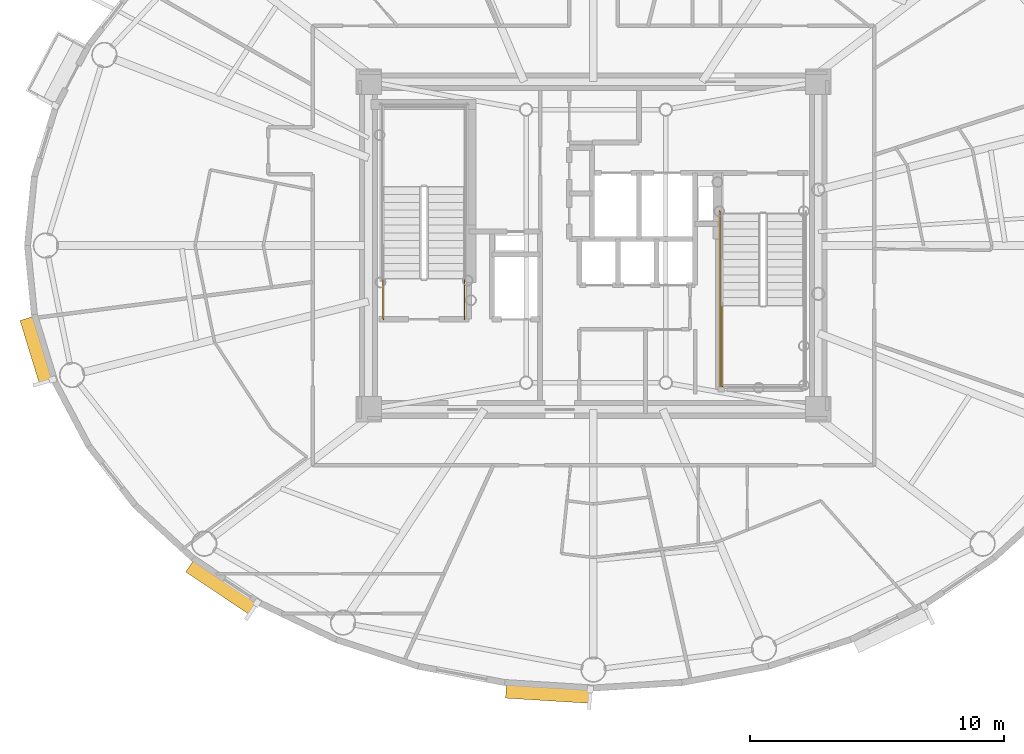
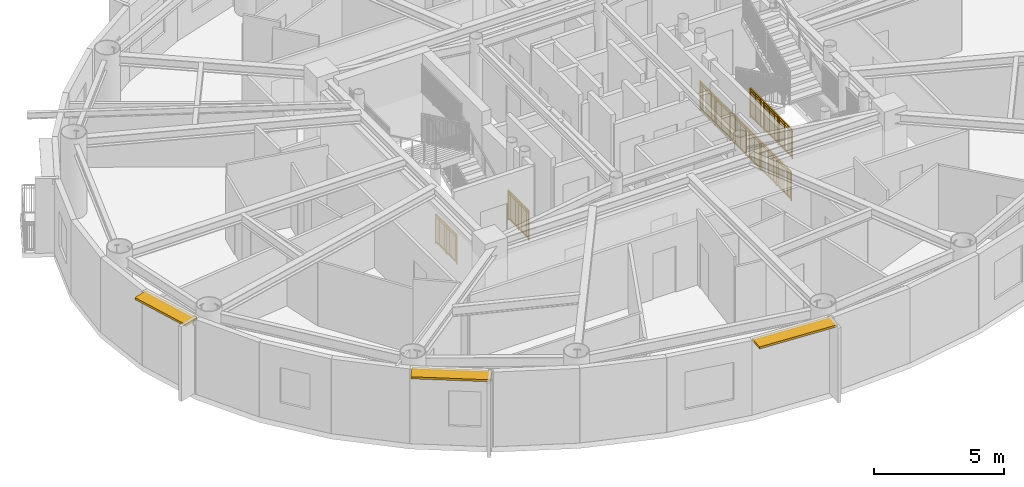
# One storey, part 11 of 18: 4 railings, 3 shading devices.
"""IFC4 building model written with IfcOpenShell, lengths in metres."""

from ifc_helpers import new_model, si_unit, direction, frame, origin, origin_2d, place, context, subcontext, project, spatial, rectangle, extrude, source, transform, mapped, material, layer, layer_set, type_object, element, save


model = new_model("IFC4")

# Units and contexts
model_context = context("Model", 3, precision=1e-05, world=origin(), true_north=direction((0.0, 1.0)))
body_context = subcontext(model_context, "Body", "Model", "MODEL_VIEW")
ifc_project = project(units=[si_unit("LENGTHUNIT", "METRE"), si_unit("AREAUNIT", "SQUARE_METRE"), si_unit("VOLUMEUNIT", "CUBIC_METRE"), si_unit("PLANEANGLEUNIT", "RADIAN"), si_unit("MASSUNIT", "GRAM", prefix="KILO")], contexts=[model_context])

# Site, building, storey
site_placement = place(None, origin())
site = spatial("IfcSite", under=ifc_project, at=site_placement, CompositionType="ELEMENT")
building_placement = place(site_placement, origin())
building = spatial("IfcBuilding", under=site, at=building_placement, Name="Linh Dai School and Residence Tower", CompositionType="ELEMENT")
storey_placement = place(building_placement, frame((0.0, 0.0, 295.5)))
storey = spatial("IfcBuildingStorey", under=building, at=storey_placement, Name="L73", CompositionType="ELEMENT", Elevation=295.5)

# Shading devices
ifc_material_1 = material(Name="Terracotta Ceramic Sunshade", Category="masonry")
ifc_layer = layer(ifc_material_1, 0.10009765625)
ifc_layer_set = layer_set([ifc_layer], Name="Terracotta Ceramic Sunshade")
shading_device_type = type_object("IfcShadingDeviceType", Name="SHD-TC-650", PredefinedType="USERDEFINED", material=ifc_layer_set)
shared_shape_1 = source(origin(), body_context, "Body", "SweptSolid", [
    extrude(rectangle(XDim=2.6640625, YDim=0.64990234375, at=origin_2d()), origin(), (0.0, 0.0, 1.0), 0.10009765625),
])
shading_device_1_placement = place(storey_placement, frame((14.132568359375, 22.870849609375, 3.3798828125), z_axis=(0.0, 0.0, 1.0), x_axis=(-0.293140945944, 0.956069236934, 0.0)))
element("IfcShadingDevice", 1, at=shading_device_1_placement, inside=storey, type_object=shading_device_type, Name="L73 Terracotta Horizontal Sunshade Band 22", ObjectType="SUNSHADE", PredefinedType="USERDEFINED", context=body_context, shape_type="MappedRepresentation", body=[
    mapped(shared_shape_1, transform((0.0, 0.0, 0.0), x_axis=(1.0, 0.0, 0.0), y_axis=(0.0, 1.0, 0.0), z_axis=(0.0, 0.0, 1.0), scale=1.0)),
])
shared_shape_2 = source(origin(), body_context, "Body", "SweptSolid", [
    extrude(rectangle(XDim=3.069091796875, YDim=0.64990234375, at=origin_2d()), origin(), (0.0, 0.0, 1.0), 0.10009765625),
])
shading_device_2_placement = place(storey_placement, frame((21.408203125, 13.5703125, 3.3798828125), z_axis=(0.0, 0.0, 1.0), x_axis=(-0.831245318631, 0.555905765624, 0.0)))
element("IfcShadingDevice", 2, at=shading_device_2_placement, inside=storey, type_object=shading_device_type, Name="L73 Terracotta Horizontal Sunshade Band 26", ObjectType="SUNSHADE", PredefinedType="USERDEFINED", context=body_context, shape_type="MappedRepresentation", body=[
    mapped(shared_shape_2, transform((0.0, 0.0, 0.0), x_axis=(1.0, 0.0, 0.0), y_axis=(0.0, 1.0, 0.0), z_axis=(0.0, 0.0, 1.0), scale=1.0)),
])
shared_shape_3 = source(origin(), body_context, "Body", "SweptSolid", [
    extrude(rectangle(XDim=3.355712890625, YDim=0.64990234375, at=origin_2d()), origin(), (0.0, 0.0, 1.0), 0.10009765625),
])
shading_device_3_placement = place(storey_placement, frame((34.238037109375, 9.407958984375, 3.3798828125), z_axis=(0.0, 0.0, 1.0), x_axis=(-0.998106469364, 0.061509965157, 0.0)))
element("IfcShadingDevice", 3, at=shading_device_3_placement, inside=storey, type_object=shading_device_type, Name="L73 Terracotta Horizontal Sunshade Band 30", ObjectType="SUNSHADE", PredefinedType="USERDEFINED", context=body_context, shape_type="MappedRepresentation", body=[
    mapped(shared_shape_3, transform((0.0, 0.0, 0.0), x_axis=(1.0, 0.0, 0.0), y_axis=(0.0, 1.0, 0.0), z_axis=(0.0, 0.0, 1.0), scale=1.0)),
])

# Railings
ifc_material_2 = material(Name="Structural Steel S355JR", Category="steel")
railing_type = type_object("IfcRailingType", Name="RL-ST-GUARD-1400", PredefinedType="GUARDRAIL", material=ifc_material_2)
shared_shape_4 = source(origin(), body_context, "Body", "SweptSolid", [
    extrude(rectangle(XDim=0.048095703125, YDim=0.048095703125, at=origin_2d()), frame((0.0, 0.0, 1.3759765625), z_axis=(0.0, 1.0, 0.0), x_axis=(-1.0, 0.0, 0.0)), (0.0, 0.0, 1.0), 1.599853515625),
    extrude(rectangle(XDim=0.048095703125, YDim=0.048095703125, at=origin_2d()), frame((0.0, 0.0, 0.10009765625), z_axis=(0.0, 1.0, 0.0), x_axis=(-1.0, 0.0, 0.0)), (0.0, 0.0, 1.0), 1.599853515625),
    extrude(rectangle(XDim=0.030029296875, YDim=0.030029296875, at=origin_2d()), frame((0.0, 0.0, 1.239990234375), z_axis=(0.0, 1.0, 0.0), x_axis=(-1.0, 0.0, 0.0)), (0.0, 0.0, 1.0), 1.599853515625),
    extrude(rectangle(XDim=0.02001953125, YDim=0.02001953125, at=origin_2d()), frame((0.0, 0.093994140625, 0.10009765625)), (0.0, 0.0, 1.0), 1.251708984375),
    extrude(rectangle(XDim=0.02001953125, YDim=0.02001953125, at=origin_2d()), frame((0.0, 0.188232421875, 0.10009765625)), (0.0, 0.0, 1.0), 1.251708984375),
    extrude(rectangle(XDim=0.02001953125, YDim=0.02001953125, at=origin_2d()), frame((0.0, 0.2822265625, 0.10009765625)), (0.0, 0.0, 1.0), 1.251708984375),
    extrude(rectangle(XDim=0.02001953125, YDim=0.02001953125, at=origin_2d()), frame((0.0, 0.37646484375, 0.10009765625)), (0.0, 0.0, 1.0), 1.251708984375),
    extrude(rectangle(XDim=0.02001953125, YDim=0.02001953125, at=origin_2d()), frame((0.0, 0.470458984375, 0.10009765625)), (0.0, 0.0, 1.0), 1.251708984375),
    extrude(rectangle(XDim=0.02001953125, YDim=0.02001953125, at=origin_2d()), frame((0.0, 0.564697265625, 0.10009765625)), (0.0, 0.0, 1.0), 1.251708984375),
    extrude(rectangle(XDim=0.02001953125, YDim=0.02001953125, at=origin_2d()), frame((0.0, 0.65869140625, 0.10009765625)), (0.0, 0.0, 1.0), 1.251708984375),
    extrude(rectangle(XDim=0.02001953125, YDim=0.02001953125, at=origin_2d()), frame((0.0, 0.7529296875, 0.10009765625)), (0.0, 0.0, 1.0), 1.251708984375),
    extrude(rectangle(XDim=0.02001953125, YDim=0.02001953125, at=origin_2d()), frame((0.0, 0.846923828125, 0.10009765625)), (0.0, 0.0, 1.0), 1.251708984375),
    extrude(rectangle(XDim=0.02001953125, YDim=0.02001953125, at=origin_2d()), frame((0.0, 0.941162109375, 0.10009765625)), (0.0, 0.0, 1.0), 1.251708984375),
    extrude(rectangle(XDim=0.02001953125, YDim=0.02001953125, at=origin_2d()), frame((0.0, 1.03515625, 0.10009765625)), (0.0, 0.0, 1.0), 1.251708984375),
    extrude(rectangle(XDim=0.02001953125, YDim=0.02001953125, at=origin_2d()), frame((0.0, 1.12939453125, 0.10009765625)), (0.0, 0.0, 1.0), 1.251708984375),
    extrude(rectangle(XDim=0.02001953125, YDim=0.02001953125, at=origin_2d()), frame((0.0, 1.223388671875, 0.10009765625)), (0.0, 0.0, 1.0), 1.251708984375),
    extrude(rectangle(XDim=0.02001953125, YDim=0.02001953125, at=origin_2d()), frame((0.0, 1.317626953125, 0.10009765625)), (0.0, 0.0, 1.0), 1.251708984375),
    extrude(rectangle(XDim=0.02001953125, YDim=0.02001953125, at=origin_2d()), frame((0.0, 1.41162109375, 0.10009765625)), (0.0, 0.0, 1.0), 1.251708984375),
    extrude(rectangle(XDim=0.02001953125, YDim=0.02001953125, at=origin_2d()), frame((0.0, 1.505859375, 0.10009765625)), (0.0, 0.0, 1.0), 1.251708984375),
    extrude(rectangle(XDim=0.0419921875, YDim=0.0419921875, at=origin_2d()), origin(), (0.0, 0.0, 1.0), 1.3759765625),
    extrude(rectangle(XDim=0.0419921875, YDim=0.0419921875, at=origin_2d()), frame((0.0, 0.7998046875, 0.0)), (0.0, 0.0, 1.0), 1.3759765625),
    extrude(rectangle(XDim=0.0419921875, YDim=0.0419921875, at=origin_2d()), frame((0.0, 1.599853515625, 0.0)), (0.0, 0.0, 1.0), 1.3759765625),
])
for number, where, name in (
    (4, (30.929931640625, 24.10009765625, 0.0), "L73 ST1 stair guard 8"),
    (5, (27.72998046875, 24.10009765625, 0.0), "L73 ST1 stair guard 9"),
):
    element("IfcRailing", number, at=place(storey_placement, frame(where)), inside=storey, type_object=railing_type, Name=name, PredefinedType="GUARDRAIL", context=body_context, shape_type="MappedRepresentation", body=[
        mapped(shared_shape_4, transform((0.0, 0.0, 0.0), x_axis=(1.0, 0.0, 0.0), y_axis=(0.0, 1.0, 0.0), z_axis=(0.0, 0.0, 1.0), scale=1.0)),
    ])
shared_shape_5 = source(origin(), body_context, "Body", "SweptSolid", [
    extrude(rectangle(XDim=0.048095703125, YDim=0.048095703125, at=origin_2d()), frame((0.0, 0.0, 1.3759765625), z_axis=(0.0, -1.0, 0.0), x_axis=(1.0, 0.0, 0.0)), (0.0, 0.0, 1.0), 7.0),
    extrude(rectangle(XDim=0.048095703125, YDim=0.048095703125, at=origin_2d()), frame((0.0, 0.0, 0.10009765625), z_axis=(0.0, -1.0, 0.0), x_axis=(1.0, 0.0, 0.0)), (0.0, 0.0, 1.0), 7.0),
    extrude(rectangle(XDim=0.030029296875, YDim=0.030029296875, at=origin_2d()), frame((0.0, 0.0, 1.239990234375), z_axis=(0.0, -1.0, 0.0), x_axis=(1.0, 0.0, 0.0)), (0.0, 0.0, 1.0), 7.0),
    extrude(rectangle(XDim=0.02001953125, YDim=0.02001953125, at=origin_2d()), frame((0.0, -0.09716796875, 0.10009765625)), (0.0, 0.0, 1.0), 1.251708984375),
    extrude(rectangle(XDim=0.02001953125, YDim=0.02001953125, at=origin_2d()), frame((0.0, -0.1943359375, 0.10009765625)), (0.0, 0.0, 1.0), 1.251708984375),
    extrude(rectangle(XDim=0.02001953125, YDim=0.02001953125, at=origin_2d()), frame((0.0, -0.291748046875, 0.10009765625)), (0.0, 0.0, 1.0), 1.251708984375),
    extrude(rectangle(XDim=0.02001953125, YDim=0.02001953125, at=origin_2d()), frame((0.0, -0.388916015625, 0.10009765625)), (0.0, 0.0, 1.0), 1.251708984375),
    extrude(rectangle(XDim=0.02001953125, YDim=0.02001953125, at=origin_2d()), frame((0.0, -0.486083984375, 0.10009765625)), (0.0, 0.0, 1.0), 1.251708984375),
    extrude(rectangle(XDim=0.02001953125, YDim=0.02001953125, at=origin_2d()), frame((0.0, -0.583251953125, 0.10009765625)), (0.0, 0.0, 1.0), 1.251708984375),
    extrude(rectangle(XDim=0.02001953125, YDim=0.02001953125, at=origin_2d()), frame((0.0, -0.6806640625, 0.10009765625)), (0.0, 0.0, 1.0), 1.251708984375),
    extrude(rectangle(XDim=0.02001953125, YDim=0.02001953125, at=origin_2d()), frame((0.0, -0.77783203125, 0.10009765625)), (0.0, 0.0, 1.0), 1.251708984375),
    extrude(rectangle(XDim=0.02001953125, YDim=0.02001953125, at=origin_2d()), frame((0.0, -0.875, 0.10009765625)), (0.0, 0.0, 1.0), 1.251708984375),
    extrude(rectangle(XDim=0.02001953125, YDim=0.02001953125, at=origin_2d()), frame((0.0, -0.97216796875, 0.10009765625)), (0.0, 0.0, 1.0), 1.251708984375),
    extrude(rectangle(XDim=0.02001953125, YDim=0.02001953125, at=origin_2d()), frame((0.0, -1.0693359375, 0.10009765625)), (0.0, 0.0, 1.0), 1.251708984375),
    extrude(rectangle(XDim=0.02001953125, YDim=0.02001953125, at=origin_2d()), frame((0.0, -1.263916015625, 0.10009765625)), (0.0, 0.0, 1.0), 1.251708984375),
    extrude(rectangle(XDim=0.02001953125, YDim=0.02001953125, at=origin_2d()), frame((0.0, -1.361083984375, 0.10009765625)), (0.0, 0.0, 1.0), 1.251708984375),
    extrude(rectangle(XDim=0.02001953125, YDim=0.02001953125, at=origin_2d()), frame((0.0, -1.458251953125, 0.10009765625)), (0.0, 0.0, 1.0), 1.251708984375),
    extrude(rectangle(XDim=0.02001953125, YDim=0.02001953125, at=origin_2d()), frame((0.0, -1.5556640625, 0.10009765625)), (0.0, 0.0, 1.0), 1.251708984375),
    extrude(rectangle(XDim=0.02001953125, YDim=0.02001953125, at=origin_2d()), frame((0.0, -1.65283203125, 0.10009765625)), (0.0, 0.0, 1.0), 1.251708984375),
    extrude(rectangle(XDim=0.02001953125, YDim=0.02001953125, at=origin_2d()), frame((0.0, -1.75, 0.10009765625)), (0.0, 0.0, 1.0), 1.251708984375),
    extrude(rectangle(XDim=0.02001953125, YDim=0.02001953125, at=origin_2d()), frame((0.0, -1.84716796875, 0.10009765625)), (0.0, 0.0, 1.0), 1.251708984375),
    extrude(rectangle(XDim=0.02001953125, YDim=0.02001953125, at=origin_2d()), frame((0.0, -1.9443359375, 0.10009765625)), (0.0, 0.0, 1.0), 1.251708984375),
    extrude(rectangle(XDim=0.02001953125, YDim=0.02001953125, at=origin_2d()), frame((0.0, -2.041748046875, 0.10009765625)), (0.0, 0.0, 1.0), 1.251708984375),
    extrude(rectangle(XDim=0.02001953125, YDim=0.02001953125, at=origin_2d()), frame((0.0, -2.138916015625, 0.10009765625)), (0.0, 0.0, 1.0), 1.251708984375),
    extrude(rectangle(XDim=0.02001953125, YDim=0.02001953125, at=origin_2d()), frame((0.0, -2.236083984375, 0.10009765625)), (0.0, 0.0, 1.0), 1.251708984375),
    extrude(rectangle(XDim=0.02001953125, YDim=0.02001953125, at=origin_2d()), frame((0.0, -2.4306640625, 0.10009765625)), (0.0, 0.0, 1.0), 1.251708984375),
    extrude(rectangle(XDim=0.02001953125, YDim=0.02001953125, at=origin_2d()), frame((0.0, -2.52783203125, 0.10009765625)), (0.0, 0.0, 1.0), 1.251708984375),
    extrude(rectangle(XDim=0.02001953125, YDim=0.02001953125, at=origin_2d()), frame((0.0, -2.625, 0.10009765625)), (0.0, 0.0, 1.0), 1.251708984375),
    extrude(rectangle(XDim=0.02001953125, YDim=0.02001953125, at=origin_2d()), frame((0.0, -2.72216796875, 0.10009765625)), (0.0, 0.0, 1.0), 1.251708984375),
    extrude(rectangle(XDim=0.02001953125, YDim=0.02001953125, at=origin_2d()), frame((0.0, -2.8193359375, 0.10009765625)), (0.0, 0.0, 1.0), 1.251708984375),
    extrude(rectangle(XDim=0.02001953125, YDim=0.02001953125, at=origin_2d()), frame((0.0, -2.916748046875, 0.10009765625)), (0.0, 0.0, 1.0), 1.251708984375),
    extrude(rectangle(XDim=0.02001953125, YDim=0.02001953125, at=origin_2d()), frame((0.0, -3.013916015625, 0.10009765625)), (0.0, 0.0, 1.0), 1.251708984375),
    extrude(rectangle(XDim=0.02001953125, YDim=0.02001953125, at=origin_2d()), frame((0.0, -3.111083984375, 0.10009765625)), (0.0, 0.0, 1.0), 1.251708984375),
    extrude(rectangle(XDim=0.02001953125, YDim=0.02001953125, at=origin_2d()), frame((0.0, -3.208251953125, 0.10009765625)), (0.0, 0.0, 1.0), 1.251708984375),
    extrude(rectangle(XDim=0.02001953125, YDim=0.02001953125, at=origin_2d()), frame((0.0, -3.3056640625, 0.10009765625)), (0.0, 0.0, 1.0), 1.251708984375),
    extrude(rectangle(XDim=0.02001953125, YDim=0.02001953125, at=origin_2d()), frame((0.0, -3.40283203125, 0.10009765625)), (0.0, 0.0, 1.0), 1.251708984375),
    extrude(rectangle(XDim=0.02001953125, YDim=0.02001953125, at=origin_2d()), frame((0.0, -3.59716796875, 0.10009765625)), (0.0, 0.0, 1.0), 1.251708984375),
    extrude(rectangle(XDim=0.02001953125, YDim=0.02001953125, at=origin_2d()), frame((0.0, -3.6943359375, 0.10009765625)), (0.0, 0.0, 1.0), 1.251708984375),
    extrude(rectangle(XDim=0.02001953125, YDim=0.02001953125, at=origin_2d()), frame((0.0, -3.791748046875, 0.10009765625)), (0.0, 0.0, 1.0), 1.251708984375),
    extrude(rectangle(XDim=0.02001953125, YDim=0.02001953125, at=origin_2d()), frame((0.0, -3.888916015625, 0.10009765625)), (0.0, 0.0, 1.0), 1.251708984375),
    extrude(rectangle(XDim=0.02001953125, YDim=0.02001953125, at=origin_2d()), frame((0.0, -3.986083984375, 0.10009765625)), (0.0, 0.0, 1.0), 1.251708984375),
    extrude(rectangle(XDim=0.02001953125, YDim=0.02001953125, at=origin_2d()), frame((0.0, -4.083251953125, 0.10009765625)), (0.0, 0.0, 1.0), 1.251708984375),
    extrude(rectangle(XDim=0.02001953125, YDim=0.02001953125, at=origin_2d()), frame((0.0, -4.1806640625, 0.10009765625)), (0.0, 0.0, 1.0), 1.251708984375),
    extrude(rectangle(XDim=0.02001953125, YDim=0.02001953125, at=origin_2d()), frame((0.0, -4.27783203125, 0.10009765625)), (0.0, 0.0, 1.0), 1.251708984375),
    extrude(rectangle(XDim=0.02001953125, YDim=0.02001953125, at=origin_2d()), frame((0.0, -4.375, 0.10009765625)), (0.0, 0.0, 1.0), 1.251708984375),
    extrude(rectangle(XDim=0.02001953125, YDim=0.02001953125, at=origin_2d()), frame((0.0, -4.47216796875, 0.10009765625)), (0.0, 0.0, 1.0), 1.251708984375),
    extrude(rectangle(XDim=0.02001953125, YDim=0.02001953125, at=origin_2d()), frame((0.0, -4.5693359375, 0.10009765625)), (0.0, 0.0, 1.0), 1.251708984375),
    extrude(rectangle(XDim=0.02001953125, YDim=0.02001953125, at=origin_2d()), frame((0.0, -4.763916015625, 0.10009765625)), (0.0, 0.0, 1.0), 1.251708984375),
    extrude(rectangle(XDim=0.02001953125, YDim=0.02001953125, at=origin_2d()), frame((0.0, -4.861083984375, 0.10009765625)), (0.0, 0.0, 1.0), 1.251708984375),
    extrude(rectangle(XDim=0.02001953125, YDim=0.02001953125, at=origin_2d()), frame((0.0, -4.958251953125, 0.10009765625)), (0.0, 0.0, 1.0), 1.251708984375),
    extrude(rectangle(XDim=0.02001953125, YDim=0.02001953125, at=origin_2d()), frame((0.0, -5.0556640625, 0.10009765625)), (0.0, 0.0, 1.0), 1.251708984375),
    extrude(rectangle(XDim=0.02001953125, YDim=0.02001953125, at=origin_2d()), frame((0.0, -5.15283203125, 0.10009765625)), (0.0, 0.0, 1.0), 1.251708984375),
    extrude(rectangle(XDim=0.02001953125, YDim=0.02001953125, at=origin_2d()), frame((0.0, -5.25, 0.10009765625)), (0.0, 0.0, 1.0), 1.251708984375),
    extrude(rectangle(XDim=0.02001953125, YDim=0.02001953125, at=origin_2d()), frame((0.0, -5.34716796875, 0.10009765625)), (0.0, 0.0, 1.0), 1.251708984375),
    extrude(rectangle(XDim=0.02001953125, YDim=0.02001953125, at=origin_2d()), frame((0.0, -5.4443359375, 0.10009765625)), (0.0, 0.0, 1.0), 1.251708984375),
    extrude(rectangle(XDim=0.02001953125, YDim=0.02001953125, at=origin_2d()), frame((0.0, -5.541748046875, 0.10009765625)), (0.0, 0.0, 1.0), 1.251708984375),
    extrude(rectangle(XDim=0.02001953125, YDim=0.02001953125, at=origin_2d()), frame((0.0, -5.638916015625, 0.10009765625)), (0.0, 0.0, 1.0), 1.251708984375),
    extrude(rectangle(XDim=0.02001953125, YDim=0.02001953125, at=origin_2d()), frame((0.0, -5.736083984375, 0.10009765625)), (0.0, 0.0, 1.0), 1.251708984375),
    extrude(rectangle(XDim=0.02001953125, YDim=0.02001953125, at=origin_2d()), frame((0.0, -5.9306640625, 0.10009765625)), (0.0, 0.0, 1.0), 1.251708984375),
    extrude(rectangle(XDim=0.02001953125, YDim=0.02001953125, at=origin_2d()), frame((0.0, -6.02783203125, 0.10009765625)), (0.0, 0.0, 1.0), 1.251708984375),
    extrude(rectangle(XDim=0.02001953125, YDim=0.02001953125, at=origin_2d()), frame((0.0, -6.125, 0.10009765625)), (0.0, 0.0, 1.0), 1.251708984375),
    extrude(rectangle(XDim=0.02001953125, YDim=0.02001953125, at=origin_2d()), frame((0.0, -6.22216796875, 0.10009765625)), (0.0, 0.0, 1.0), 1.251708984375),
    extrude(rectangle(XDim=0.02001953125, YDim=0.02001953125, at=origin_2d()), frame((0.0, -6.3193359375, 0.10009765625)), (0.0, 0.0, 1.0), 1.251708984375),
    extrude(rectangle(XDim=0.02001953125, YDim=0.02001953125, at=origin_2d()), frame((0.0, -6.416748046875, 0.10009765625)), (0.0, 0.0, 1.0), 1.251708984375),
    extrude(rectangle(XDim=0.02001953125, YDim=0.02001953125, at=origin_2d()), frame((0.0, -6.513916015625, 0.10009765625)), (0.0, 0.0, 1.0), 1.251708984375),
    extrude(rectangle(XDim=0.02001953125, YDim=0.02001953125, at=origin_2d()), frame((0.0, -6.611083984375, 0.10009765625)), (0.0, 0.0, 1.0), 1.251708984375),
    extrude(rectangle(XDim=0.02001953125, YDim=0.02001953125, at=origin_2d()), frame((0.0, -6.708251953125, 0.10009765625)), (0.0, 0.0, 1.0), 1.251708984375),
    extrude(rectangle(XDim=0.02001953125, YDim=0.02001953125, at=origin_2d()), frame((0.0, -6.8056640625, 0.10009765625)), (0.0, 0.0, 1.0), 1.251708984375),
    extrude(rectangle(XDim=0.02001953125, YDim=0.02001953125, at=origin_2d()), frame((0.0, -6.90283203125, 0.10009765625)), (0.0, 0.0, 1.0), 1.251708984375),
    extrude(rectangle(XDim=0.0419921875, YDim=0.0419921875, at=origin_2d()), origin(), (0.0, 0.0, 1.0), 1.3759765625),
    extrude(rectangle(XDim=0.0419921875, YDim=0.0419921875, at=origin_2d()), frame((0.0, -1.166748046875, 0.0)), (0.0, 0.0, 1.0), 1.3759765625),
    extrude(rectangle(XDim=0.0419921875, YDim=0.0419921875, at=origin_2d()), frame((0.0, -2.333251953125, 0.0)), (0.0, 0.0, 1.0), 1.3759765625),
    extrude(rectangle(XDim=0.0419921875, YDim=0.0419921875, at=origin_2d()), frame((0.0, -3.5, 0.0)), (0.0, 0.0, 1.0), 1.3759765625),
    extrude(rectangle(XDim=0.0419921875, YDim=0.0419921875, at=origin_2d()), frame((0.0, -4.666748046875, 0.0)), (0.0, 0.0, 1.0), 1.3759765625),
    extrude(rectangle(XDim=0.0419921875, YDim=0.0419921875, at=origin_2d()), frame((0.0, -5.833251953125, 0.0)), (0.0, 0.0, 1.0), 1.3759765625),
    extrude(rectangle(XDim=0.0419921875, YDim=0.0419921875, at=origin_2d()), frame((0.0, -7.0, 0.0)), (0.0, 0.0, 1.0), 1.3759765625),
])
railing_1_placement = place(storey_placement, frame((40.969970703125, 28.35009765625, 0.0)))
element("IfcRailing", 6, at=railing_1_placement, inside=storey, type_object=railing_type, Name="L73 ST2 stair guard 10", PredefinedType="GUARDRAIL", context=body_context, shape_type="MappedRepresentation", body=[
    mapped(shared_shape_5, transform((0.0, 0.0, 0.0), x_axis=(1.0, 0.0, 0.0), y_axis=(0.0, 1.0, 0.0), z_axis=(0.0, 0.0, 1.0), scale=1.0)),
])
shared_shape_6 = source(origin(), body_context, "Body", "SweptSolid", [
    extrude(rectangle(XDim=0.048095703125, YDim=0.048095703125, at=origin_2d()), frame((0.0, 0.0, 1.3759765625), z_axis=(0.0, -1.0, 0.0), x_axis=(1.0, 0.0, 0.0)), (0.0, 0.0, 1.0), 3.199951171875),
    extrude(rectangle(XDim=0.048095703125, YDim=0.048095703125, at=origin_2d()), frame((0.0, 0.0, 0.10009765625), z_axis=(0.0, -1.0, 0.0), x_axis=(1.0, 0.0, 0.0)), (0.0, 0.0, 1.0), 3.199951171875),
    extrude(rectangle(XDim=0.030029296875, YDim=0.030029296875, at=origin_2d()), frame((0.0, 0.0, 1.239990234375), z_axis=(0.0, -1.0, 0.0), x_axis=(1.0, 0.0, 0.0)), (0.0, 0.0, 1.0), 3.199951171875),
    extrude(rectangle(XDim=0.02001953125, YDim=0.02001953125, at=origin_2d()), frame((0.0, -0.096923828125, 0.10009765625)), (0.0, 0.0, 1.0), 1.251708984375),
    extrude(rectangle(XDim=0.02001953125, YDim=0.02001953125, at=origin_2d()), frame((0.0, -0.19384765625, 0.10009765625)), (0.0, 0.0, 1.0), 1.251708984375),
    extrude(rectangle(XDim=0.02001953125, YDim=0.02001953125, at=origin_2d()), frame((0.0, -0.291015625, 0.10009765625)), (0.0, 0.0, 1.0), 1.251708984375),
    extrude(rectangle(XDim=0.02001953125, YDim=0.02001953125, at=origin_2d()), frame((0.0, -0.387939453125, 0.10009765625)), (0.0, 0.0, 1.0), 1.251708984375),
    extrude(rectangle(XDim=0.02001953125, YDim=0.02001953125, at=origin_2d()), frame((0.0, -0.48486328125, 0.10009765625)), (0.0, 0.0, 1.0), 1.251708984375),
    extrude(rectangle(XDim=0.02001953125, YDim=0.02001953125, at=origin_2d()), frame((0.0, -0.581787109375, 0.10009765625)), (0.0, 0.0, 1.0), 1.251708984375),
    extrude(rectangle(XDim=0.02001953125, YDim=0.02001953125, at=origin_2d()), frame((0.0, -0.6787109375, 0.10009765625)), (0.0, 0.0, 1.0), 1.251708984375),
    extrude(rectangle(XDim=0.02001953125, YDim=0.02001953125, at=origin_2d()), frame((0.0, -0.775634765625, 0.10009765625)), (0.0, 0.0, 1.0), 1.251708984375),
    extrude(rectangle(XDim=0.02001953125, YDim=0.02001953125, at=origin_2d()), frame((0.0, -0.872802734375, 0.10009765625)), (0.0, 0.0, 1.0), 1.251708984375),
    extrude(rectangle(XDim=0.02001953125, YDim=0.02001953125, at=origin_2d()), frame((0.0, -0.9697265625, 0.10009765625)), (0.0, 0.0, 1.0), 1.251708984375),
    extrude(rectangle(XDim=0.02001953125, YDim=0.02001953125, at=origin_2d()), frame((0.0, -1.16357421875, 0.10009765625)), (0.0, 0.0, 1.0), 1.251708984375),
    extrude(rectangle(XDim=0.02001953125, YDim=0.02001953125, at=origin_2d()), frame((0.0, -1.260498046875, 0.10009765625)), (0.0, 0.0, 1.0), 1.251708984375),
    extrude(rectangle(XDim=0.02001953125, YDim=0.02001953125, at=origin_2d()), frame((0.0, -1.357666015625, 0.10009765625)), (0.0, 0.0, 1.0), 1.251708984375),
    extrude(rectangle(XDim=0.02001953125, YDim=0.02001953125, at=origin_2d()), frame((0.0, -1.45458984375, 0.10009765625)), (0.0, 0.0, 1.0), 1.251708984375),
    extrude(rectangle(XDim=0.02001953125, YDim=0.02001953125, at=origin_2d()), frame((0.0, -1.551513671875, 0.10009765625)), (0.0, 0.0, 1.0), 1.251708984375),
    extrude(rectangle(XDim=0.02001953125, YDim=0.02001953125, at=origin_2d()), frame((0.0, -1.6484375, 0.10009765625)), (0.0, 0.0, 1.0), 1.251708984375),
    extrude(rectangle(XDim=0.02001953125, YDim=0.02001953125, at=origin_2d()), frame((0.0, -1.745361328125, 0.10009765625)), (0.0, 0.0, 1.0), 1.251708984375),
    extrude(rectangle(XDim=0.02001953125, YDim=0.02001953125, at=origin_2d()), frame((0.0, -1.84228515625, 0.10009765625)), (0.0, 0.0, 1.0), 1.251708984375),
    extrude(rectangle(XDim=0.02001953125, YDim=0.02001953125, at=origin_2d()), frame((0.0, -1.939453125, 0.10009765625)), (0.0, 0.0, 1.0), 1.251708984375),
    extrude(rectangle(XDim=0.02001953125, YDim=0.02001953125, at=origin_2d()), frame((0.0, -2.036376953125, 0.10009765625)), (0.0, 0.0, 1.0), 1.251708984375),
    extrude(rectangle(XDim=0.02001953125, YDim=0.02001953125, at=origin_2d()), frame((0.0, -2.230224609375, 0.10009765625)), (0.0, 0.0, 1.0), 1.251708984375),
    extrude(rectangle(XDim=0.02001953125, YDim=0.02001953125, at=origin_2d()), frame((0.0, -2.3271484375, 0.10009765625)), (0.0, 0.0, 1.0), 1.251708984375),
    extrude(rectangle(XDim=0.02001953125, YDim=0.02001953125, at=origin_2d()), frame((0.0, -2.42431640625, 0.10009765625)), (0.0, 0.0, 1.0), 1.251708984375),
    extrude(rectangle(XDim=0.02001953125, YDim=0.02001953125, at=origin_2d()), frame((0.0, -2.521240234375, 0.10009765625)), (0.0, 0.0, 1.0), 1.251708984375),
    extrude(rectangle(XDim=0.02001953125, YDim=0.02001953125, at=origin_2d()), frame((0.0, -2.6181640625, 0.10009765625)), (0.0, 0.0, 1.0), 1.251708984375),
    extrude(rectangle(XDim=0.02001953125, YDim=0.02001953125, at=origin_2d()), frame((0.0, -2.715087890625, 0.10009765625)), (0.0, 0.0, 1.0), 1.251708984375),
    extrude(rectangle(XDim=0.02001953125, YDim=0.02001953125, at=origin_2d()), frame((0.0, -2.81201171875, 0.10009765625)), (0.0, 0.0, 1.0), 1.251708984375),
    extrude(rectangle(XDim=0.02001953125, YDim=0.02001953125, at=origin_2d()), frame((0.0, -2.908935546875, 0.10009765625)), (0.0, 0.0, 1.0), 1.251708984375),
    extrude(rectangle(XDim=0.02001953125, YDim=0.02001953125, at=origin_2d()), frame((0.0, -3.006103515625, 0.10009765625)), (0.0, 0.0, 1.0), 1.251708984375),
    extrude(rectangle(XDim=0.02001953125, YDim=0.02001953125, at=origin_2d()), frame((0.0, -3.10302734375, 0.10009765625)), (0.0, 0.0, 1.0), 1.251708984375),
    extrude(rectangle(XDim=0.0419921875, YDim=0.0419921875, at=origin_2d()), origin(), (0.0, 0.0, 1.0), 1.3759765625),
    extrude(rectangle(XDim=0.0419921875, YDim=0.0419921875, at=origin_2d()), frame((0.0, -1.066650390625, 0.0)), (0.0, 0.0, 1.0), 1.3759765625),
    extrude(rectangle(XDim=0.0419921875, YDim=0.0419921875, at=origin_2d()), frame((0.0, -2.13330078125, 0.0)), (0.0, 0.0, 1.0), 1.3759765625),
    extrude(rectangle(XDim=0.0419921875, YDim=0.0419921875, at=origin_2d()), frame((0.0, -3.199951171875, 0.0)), (0.0, 0.0, 1.0), 1.3759765625),
])
railing_2_placement = place(storey_placement, frame((41.070068359375, 24.64990234375, 1.875)))
element("IfcRailing", 7, at=railing_2_placement, inside=storey, type_object=railing_type, Name="L73 ST2 stair guard 3", PredefinedType="GUARDRAIL", context=body_context, shape_type="MappedRepresentation", body=[
    mapped(shared_shape_6, transform((0.0, 0.0, 0.0), x_axis=(1.0, 0.0, 0.0), y_axis=(0.0, 1.0, 0.0), z_axis=(0.0, 0.0, 1.0), scale=1.0)),
])

save(model, "model.ifc")
